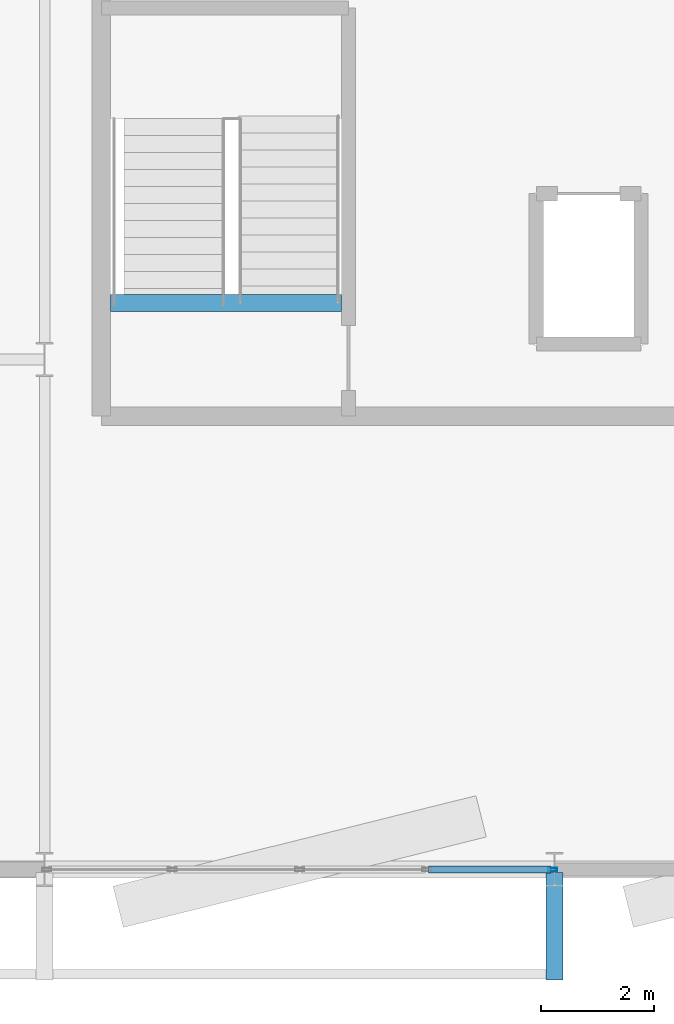
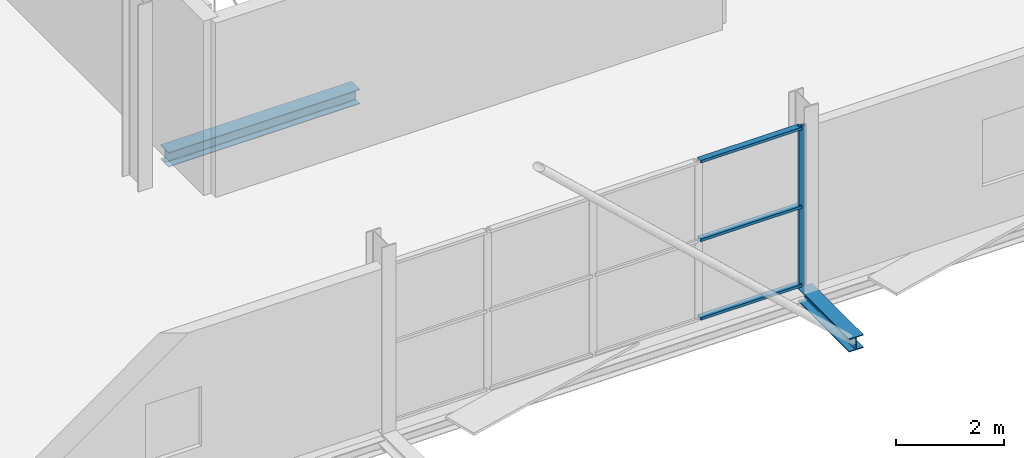
# One storey, part 48 of 103: 4 members, 2 beams, 1 element without a shape of its own.
"""IFC4 building model written with IfcOpenShell, lengths in metres."""

from ifc_helpers import new_model, si_unit, direction, frame, origin, origin_2d, place, context, subcontext, project, spatial, hollow_rectangle, i_section, extrude, material, layer, layer_set, material_profile, profile_set, type_object, element, aggregate, save


model = new_model("IFC4")

# Units and contexts
model_context = context("Model", 3, precision=1e-05, world=origin(), true_north=direction((0.0, 1.0)))
body_context = subcontext(model_context, "Body", "Model", "MODEL_VIEW")
ifc_project = project(units=[si_unit("LENGTHUNIT", "METRE"), si_unit("AREAUNIT", "SQUARE_METRE"), si_unit("VOLUMEUNIT", "CUBIC_METRE"), si_unit("PLANEANGLEUNIT", "RADIAN"), si_unit("MASSUNIT", "GRAM", prefix="KILO")], contexts=[model_context])

# Site, building, storey
site_placement = place(None, origin())
site = spatial("IfcSite", under=ifc_project, at=site_placement, CompositionType="ELEMENT")
building_placement = place(site_placement, origin())
building = spatial("IfcBuilding", under=site, at=building_placement, Name="Deido Ridge Mobility Hub", CompositionType="ELEMENT")
storey_placement = place(building_placement, frame((0.0, 0.0, 12.60009765625)))
storey = spatial("IfcBuildingStorey", under=building, at=storey_placement, Name="L03", CompositionType="ELEMENT", Elevation=12.60009765625)

# Beam
ifc_material_1 = material(Name="Steel S355J2 EN 10025-2", Category="steel")
ifc_material_profile_1 = material_profile(ifc_material_1, i_section(OverallWidth=0.300048828125, OverallDepth=0.330078125, WebThickness=0.009521484375, FlangeThickness=0.0166015625, FilletRadius=0.027099609375, at=origin_2d()), Name="HEA 340")
ifc_profile_set_1 = profile_set([ifc_material_profile_1], Name="Steel S355J2 EN 10025-2")
beam_type_1 = type_object("IfcBeamType", Name="BM-HEA340", PredefinedType="BEAM", material=ifc_profile_set_1)
beam_1_placement = place(storey_placement, frame((163.16259765625, 10.0, -0.43017578125), z_axis=(1.0, 0.0, 0.0), x_axis=(0.0, 1.0, 0.0)))
element("IfcBeam", 1, at=beam_1_placement, inside=storey, type_object=beam_type_1, Name="C1 stair landing trimmer beam B6", PredefinedType="BEAM", context=body_context, shape_type="SweptSolid", body=[
    extrude(i_section(OverallWidth=0.300048828125, OverallDepth=0.330078125, WebThickness=0.009521484375, FlangeThickness=0.0166015625, FilletRadius=0.027099609375, at=origin_2d()), origin(), (0.0, 0.0, 1.0), 4.072509765625),
])

# Curtain wall, members
ifc_material_2 = material(Name="Anodised aluminium EN AW-6063 T6", Category="aluminium")
ifc_layer = layer(ifc_material_2, 0.195068359375, Name="Anodised aluminium EN AW-6063 T6")
ifc_layer_set = layer_set([ifc_layer], Name="Anodised aluminium EN AW-6063 T6")
curtain_wall_type = type_object("IfcCurtainWallType", Name="CW-UF-3", PredefinedType="USERDEFINED", material=ifc_layer_set)
curtain_wall_placement = place(storey_placement, origin())
curtain_wall = element("IfcCurtainWall", 2, at=curtain_wall_placement, inside=storey, type_object=curtain_wall_type, Name="Unitised curtain wall CW3", ObjectType="UNITISED FACADE", PredefinedType="USERDEFINED")
ifc_material_profile_2 = material_profile(ifc_material_2, hollow_rectangle(XDim=0.06005859375, YDim=0.159912109375, WallThickness=0.00390625, at=origin_2d()), Name="RHS 60x160x4")
ifc_profile_set_2 = profile_set([ifc_material_profile_2], Name="Anodised aluminium EN AW-6063 T6")
member_type_1 = type_object("IfcMemberType", Name="MEM-MUL-60X160", PredefinedType="MULLION", material=ifc_profile_set_2)
member_1_placement = place(storey_placement, frame((170.96240234375, 0.0, 0.0), z_axis=(0.0, 0.0, 1.0), x_axis=(0.0, 1.0, 0.0)))
member_1 = element("IfcMember", 3, at=member_1_placement, type_object=member_type_1, Name="CW3 mullion 5", PredefinedType="MULLION", context=body_context, shape_type="SweptSolid", body=[
    extrude(hollow_rectangle(XDim=0.06005859375, YDim=0.159912109375, WallThickness=0.00390625, at=origin_2d()), origin(), (0.0, 0.0, 1.0), 3.599853515625),
])
ifc_material_profile_3 = material_profile(ifc_material_2, hollow_rectangle(XDim=0.125, YDim=0.06005859375, WallThickness=0.00390625, at=origin_2d()), Name="RHS 125x60x4")
ifc_profile_set_3 = profile_set([ifc_material_profile_3], Name="Anodised aluminium EN AW-6063 T6")
member_type_2 = type_object("IfcMemberType", Name="MEM-TRN-125X60", PredefinedType="USERDEFINED", material=ifc_profile_set_3)
member_2_placement = place(storey_placement, frame((168.776123046875, 0.0, 0.02978515625), z_axis=(1.0, 0.0, 0.0), x_axis=(0.0, 1.0, 0.0)))
member_2 = element("IfcMember", 4, at=member_2_placement, type_object=member_type_2, Name="CW3 transom 4.1", ObjectType="TRANSOM", PredefinedType="USERDEFINED", context=body_context, shape_type="SweptSolid", body=[
    extrude(hollow_rectangle(XDim=0.125, YDim=0.06005859375, WallThickness=0.00390625, at=origin_2d()), origin(), (0.0, 0.0, 1.0), 2.15625),
])
member_3_placement = place(storey_placement, frame((168.776123046875, 0.0, 1.7998046875), z_axis=(1.0, 0.0, 0.0), x_axis=(0.0, 1.0, 0.0)))
member_3 = element("IfcMember", 5, at=member_3_placement, type_object=member_type_2, Name="CW3 transom 4.2", ObjectType="TRANSOM", PredefinedType="USERDEFINED", context=body_context, shape_type="SweptSolid", body=[
    extrude(hollow_rectangle(XDim=0.125, YDim=0.06005859375, WallThickness=0.00390625, at=origin_2d()), origin(), (0.0, 0.0, 1.0), 2.15625),
])
member_4_placement = place(storey_placement, frame((168.776123046875, 0.0, 3.56982421875), z_axis=(1.0, 0.0, 0.0), x_axis=(0.0, 1.0, 0.0)))
member_4 = element("IfcMember", 6, at=member_4_placement, type_object=member_type_2, Name="CW3 transom 4.3", ObjectType="TRANSOM", PredefinedType="USERDEFINED", context=body_context, shape_type="SweptSolid", body=[
    extrude(hollow_rectangle(XDim=0.125, YDim=0.06005859375, WallThickness=0.00390625, at=origin_2d()), origin(), (0.0, 0.0, 1.0), 2.15625),
])
aggregate(curtain_wall, [member_1, member_2, member_3, member_4])

# Beam
ifc_material_profile_4 = material_profile(ifc_material_1, i_section(OverallWidth=0.300048828125, OverallDepth=0.300048828125, WebThickness=0.010986328125, FlangeThickness=0.01904296875, FilletRadius=0.027099609375, at=origin_2d()), Name="HEB 300")
ifc_profile_set_4 = profile_set([ifc_material_profile_4], Name="Steel S355J2 EN 10025-2")
beam_type_2 = type_object("IfcBeamType", Name="SPD-HEB300", PredefinedType="SPANDREL", material=ifc_profile_set_4)
beam_2_placement = place(storey_placement, frame((171.0, -0.050048828125, -0.150146484375), z_axis=(0.0, -1.0, 0.0), x_axis=(1.0, 0.0, 0.0)))
element("IfcBeam", 7, at=beam_2_placement, inside=storey, type_object=beam_type_2, Name="Exoskeleton outrigger beam SP1", PredefinedType="SPANDREL", context=body_context, shape_type="SweptSolid", body=[
    extrude(i_section(OverallWidth=0.300048828125, OverallDepth=0.300048828125, WebThickness=0.010986328125, FlangeThickness=0.01904296875, FilletRadius=0.027099609375, at=origin_2d()), origin(), (0.0, 0.0, 1.0), 1.89990234375),
])

save(model, "model.ifc")
